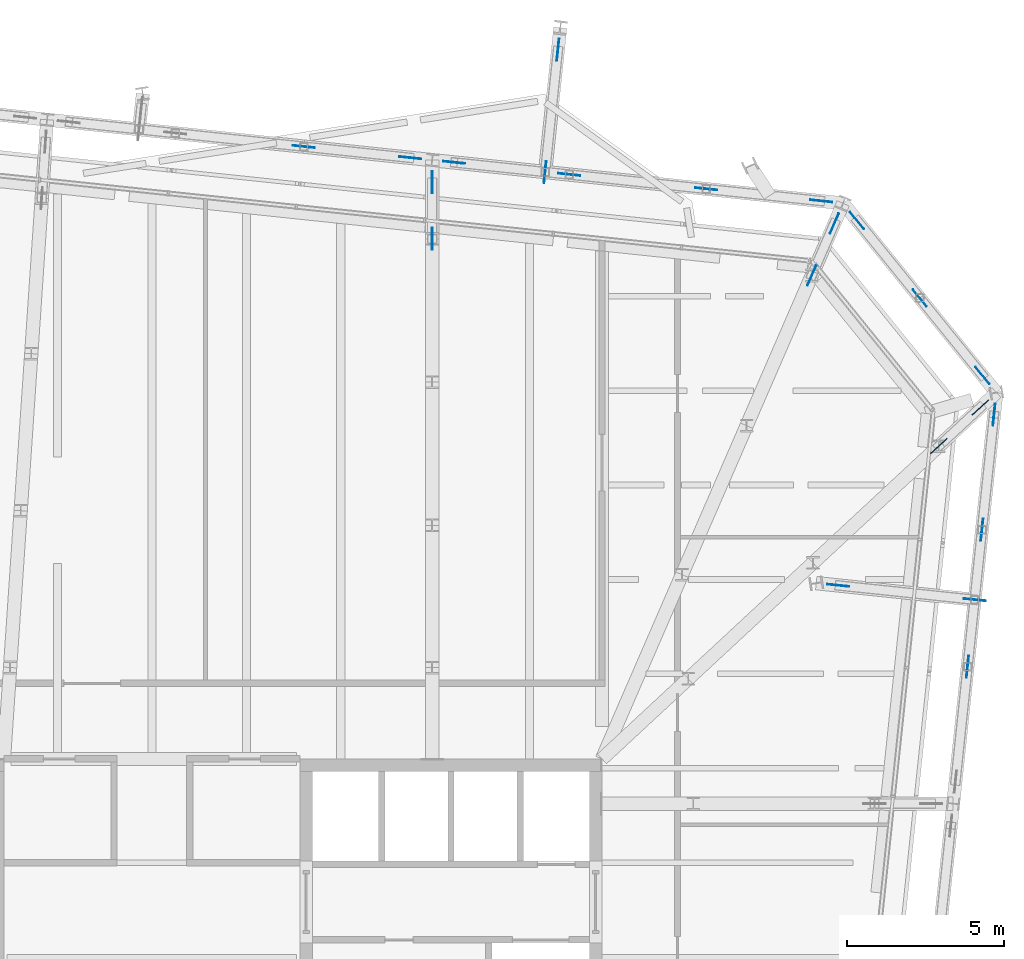
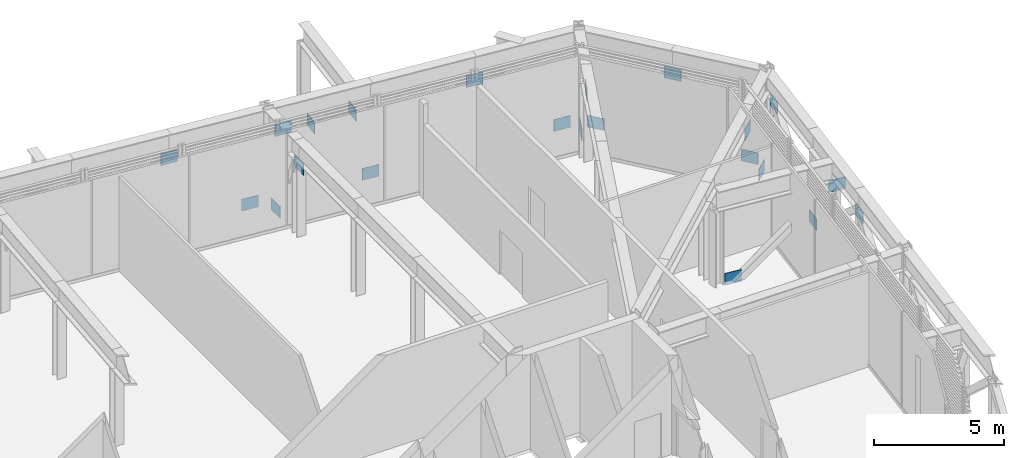
# One storey, part 33 of 36: 22 discrete accessories.
"""IFC4 building model written with IfcOpenShell, lengths in metres."""

import ifcopenshell
import ifcopenshell.guid

model = None  # the IFC model being written
_history = None  # IfcOwnerHistory: only IFC2X3 demands one
_inside = {}  # id of a spatial element -> (the spatial element, [elements in it])
_under = {}  # id of a project, library or spatial element -> (it, [spatial elements below it])
_declared = {}  # id of a project -> (the project, [libraries it declares])
_typed = {}  # id of a type object -> (the type object, [elements of that type])
_made_of = {}  # id of a material, layer set ... -> (it, [elements and type objects made of it])


def new_model(schema):
    """Start an empty IFC model of exactly this schema.

    Asked for "IFC4X3", IfcOpenShell would pick the latest addendum, in which some entities
    have other attributes; the version numbers below select the first issue.
    IFC2X3 requires an IfcOwnerHistory on every rooted entity: one is made here for all.
    """
    global model, _history
    if schema == "IFC4X3":
        model = ifcopenshell.file(schema_version=(4, 3, 0, 0))
    else:
        model = ifcopenshell.file(schema=schema)
    _inside.clear()
    _under.clear()
    _declared.clear()
    _typed.clear()
    _made_of.clear()
    _history = None
    if model.schema == "IFC2X3":
        org = make("IfcOrganization", Name="unknown")
        user = make(
            "IfcPersonAndOrganization",
            ThePerson=make("IfcPerson", FamilyName="unknown"),
            TheOrganization=org,
        )
        app = make(
            "IfcApplication",
            ApplicationDeveloper=org,
            Version="unknown",
            ApplicationFullName="unknown",
            ApplicationIdentifier="unknown",
        )
        _history = make(
            "IfcOwnerHistory",
            OwningUser=user,
            OwningApplication=app,
            ChangeAction="ADDED",
            CreationDate=0,
        )
    return model


def make(cls, **values):
    """One entity of the class cls with the attributes given. An attribute that is None is left unset."""
    return model.create_entity(
        cls, **{name: value for name, value in values.items() if value is not None}
    )


def rooted(cls, **values):
    """An entity with a GlobalId (a new one), such as an element, a storey or a relation."""
    return make(cls, GlobalId=ifcopenshell.guid.new(), OwnerHistory=_history, **values)


def si_unit(unit_type, name, prefix=None):
    """IfcSIUnit, for example si_unit("LENGTHUNIT", "METRE", prefix="MILLI")."""
    return make("IfcSIUnit", UnitType=unit_type, Prefix=prefix, Name=name)


def assignment(units):
    """IfcUnitAssignment: the units of a project."""
    return None if units is None else make("IfcUnitAssignment", Units=units)


def point(xyz):
    """IfcCartesianPoint."""
    return None if xyz is None else make("IfcCartesianPoint", Coordinates=xyz)


def direction(xyz):
    """IfcDirection."""
    return None if xyz is None else make("IfcDirection", DirectionRatios=xyz)


def frame(location, z_axis=None, x_axis=None):
    """IfcAxis2Placement3D, a coordinate frame: its origin and axes. An axis left out is left unset."""
    return make(
        "IfcAxis2Placement3D",
        Location=point(location),
        Axis=direction(z_axis),
        RefDirection=direction(x_axis),
    )


def frame_2d(location, x_axis=None):
    """IfcAxis2Placement2D, a coordinate frame in the plane: its origin and x axis."""
    return make(
        "IfcAxis2Placement2D", Location=point(location), RefDirection=direction(x_axis)
    )


def origin():
    """The frame at (0, 0, 0) with its axes left unset."""
    return frame((0.0, 0.0, 0.0))


def origin_2d():
    """The frame at (0, 0) in the plane with its x axis left unset."""
    return frame_2d((0.0, 0.0))


def place(relative_to, where):
    """IfcLocalPlacement: puts the frame where relative to a parent placement (None: the world)."""
    return make(
        "IfcLocalPlacement", PlacementRelTo=relative_to, RelativePlacement=where
    )


def context(
    kind, dimensions, precision=None, world=None, true_north=None, identifier=None
):
    """IfcGeometricRepresentationContext, for example the 3D "Model" context."""
    return make(
        "IfcGeometricRepresentationContext",
        ContextIdentifier=identifier,
        ContextType=kind,
        CoordinateSpaceDimension=dimensions,
        Precision=precision,
        WorldCoordinateSystem=world,
        TrueNorth=true_north,
    )


def subcontext(parent, identifier, kind, view, scale=None):
    """IfcGeometricRepresentationSubContext, for example "Body" below "Model"."""
    return make(
        "IfcGeometricRepresentationSubContext",
        ContextIdentifier=identifier,
        ContextType=kind,
        ParentContext=parent,
        TargetScale=scale,
        TargetView=view,
    )


def project(units=None, contexts=None):
    """IfcProject with its units and contexts."""
    return rooted(
        "IfcProject",
        Name="project",
        RepresentationContexts=contexts,
        UnitsInContext=assignment(units),
    )


def spatial(cls, under=None, at=None, **own):
    """A site, building, storey or space (cls), placed at a placement, below another one or the project."""
    s = rooted(cls, ObjectPlacement=at, **own)
    if under is not None:
        _under.setdefault(under.id(), (under, []))[1].append(s)
    return s


def profile(cls, at=None, kind="AREA", **sizes):
    """A parametric profile (cls). Its sizes go by their IFC names, for example OverallWidth=200.0."""
    return make(cls, ProfileType=kind, Position=at, **sizes)


def rectangle(**sizes):
    """IfcRectangleProfileDef."""
    return profile("IfcRectangleProfileDef", **sizes)


def extrude(swept, where, along, depth):
    """IfcExtrudedAreaSolid: the profile swept, set in the frame where, extruded along a direction by depth."""
    return make(
        "IfcExtrudedAreaSolid",
        SweptArea=swept,
        Position=where,
        ExtrudedDirection=direction(along),
        Depth=depth,
    )


def shape(context_of_items, identifier, shape_type, items):
    """IfcShapeRepresentation: the items that make up one representation, for example the "Body"."""
    return make(
        "IfcShapeRepresentation",
        ContextOfItems=context_of_items,
        RepresentationIdentifier=identifier,
        RepresentationType=shape_type,
        Items=items,
    )


def material(Name=None, Category=None):
    """IfcMaterial."""
    return make("IfcMaterial", Name=Name, Category=Category)


def layer(
    of_material, thickness, ventilated=None, Name=None, Category=None, Priority=None
):
    """IfcMaterialLayer: one layer of a wall or slab, of a material (None: an air gap)."""
    return make(
        "IfcMaterialLayer",
        Material=of_material,
        LayerThickness=thickness,
        IsVentilated=ventilated,
        Name=Name,
        Category=Category,
        Priority=Priority,
    )


def layer_set(layers, Name=None):
    """IfcMaterialLayerSet."""
    return make("IfcMaterialLayerSet", MaterialLayers=layers, LayerSetName=Name)


def made_of(thing, what):
    """Note that an element or type object is made of a material, layer set ...; save() writes the relation."""
    if what is not None:
        _made_of.setdefault(what.id(), (what, []))[1].append(thing)
    return thing


def type_object(cls, material=None, **own):
    """A type object (cls), such as IfcWallType, which elements share."""
    return made_of(rooted(cls, **own), material)


def element(
    cls,
    number,
    at=None,
    inside=None,
    cuts=None,
    type_object=None,
    material=None,
    context=None,
    identifier="Body",
    shape_type=None,
    held_by="IfcProductDefinitionShape",
    body=None,
    shapes=None,
    **own,
):
    """One element of the class cls, such as IfcWall. Its Tag is "e" and its number.

    at: its placement. inside: the storey or other place that contains it. cuts: it is an
    opening in that element (IfcRelVoidsElement). A single representation is given by context,
    identifier, shape_type and body (its items); several are given by shapes. held_by: the class
    of the entity that holds the representations. save() writes the other relations.
    """
    e = rooted(cls, Tag="e%d" % number, ObjectPlacement=at, **own)
    if body is not None:
        shapes = [shape(context, identifier, shape_type, body)]
    if shapes is not None:
        e.Representation = make(held_by, Representations=shapes)
    if inside is not None:
        _inside.setdefault(inside.id(), (inside, []))[1].append(e)
    if cuts is not None:
        rooted(
            "IfcRelVoidsElement", RelatingBuildingElement=cuts, RelatedOpeningElement=e
        )
    if type_object is not None:
        _typed.setdefault(type_object.id(), (type_object, []))[1].append(e)
    return made_of(e, material)


def aggregate(whole, parts):
    """IfcRelAggregates: a whole, such as a stair, and the parts it consists of."""
    return rooted("IfcRelAggregates", RelatingObject=whole, RelatedObjects=parts)


def save(model, path):
    """Write the relations noted so far, then the file.

    IfcRelAggregates (storeys below a building ...), IfcRelContainedInSpatialStructure (elements
    in a storey), IfcRelDefinesByType, IfcRelAssociatesMaterial and IfcRelDeclares: one each for
    every whole, place, type object, material and project.
    """
    for whole, parts in _under.values():
        aggregate(whole, parts)
    for where, things in _inside.values():
        rooted(
            "IfcRelContainedInSpatialStructure",
            RelatedElements=things,
            RelatingStructure=where,
        )
    for kind, things in _typed.values():
        rooted("IfcRelDefinesByType", RelatedObjects=things, RelatingType=kind)
    for what, things in _made_of.values():
        rooted("IfcRelAssociatesMaterial", RelatedObjects=things, RelatingMaterial=what)
    for by, libraries in _declared.values():
        rooted("IfcRelDeclares", RelatingContext=by, RelatedDefinitions=libraries)
    model.write(path)


model = new_model("IFC4")

# Units and contexts
model_context = context("Model", 3, precision=1e-05, world=origin(), true_north=direction((0.0, 1.0)))
body_context = subcontext(model_context, "Body", "Model", "MODEL_VIEW")
ifc_project = project(units=[si_unit("LENGTHUNIT", "METRE"), si_unit("AREAUNIT", "SQUARE_METRE"), si_unit("VOLUMEUNIT", "CUBIC_METRE"), si_unit("PLANEANGLEUNIT", "RADIAN"), si_unit("MASSUNIT", "GRAM", prefix="KILO")], contexts=[model_context])

# Site, building, storey
site_placement = place(None, origin())
site = spatial("IfcSite", under=ifc_project, at=site_placement, CompositionType="ELEMENT")
building_placement = place(site_placement, origin())
building = spatial("IfcBuilding", under=site, at=building_placement, Name="Millrace Tower", CompositionType="ELEMENT")
storey_placement = place(building_placement, frame((0.0, 0.0, 271.39990234375)))
storey = spatial("IfcBuildingStorey", under=building, at=storey_placement, Name="L62", CompositionType="ELEMENT", Elevation=271.39990234375)

# Discrete accessories
ifc_material = material(Name="Steel ASTM A572 Grade 50", Category="steel")
ifc_layer = layer(ifc_material, 0.02490234375)
ifc_layer_set = layer_set([ifc_layer], Name="Steel ASTM A572 Grade 50")
discrete_accessory_type = type_object("IfcDiscreteAccessoryType", Name="Truss gusset plate 700x550x25", PredefinedType="BRACKET", material=ifc_layer_set)
discrete_accessory_1_placement = place(storey_placement, frame((25.878173828125, 11.88330078125, 3.2177734375), z_axis=(0.104612176701, 0.99451309317, 0.0), x_axis=(-0.99451309317, 0.104612176701, 0.0)))
element("IfcDiscreteAccessory", 1, at=discrete_accessory_1_placement, inside=storey, type_object=discrete_accessory_type, Name="Truss gusset plate TRS-L62-R08-D01 head", PredefinedType="BRACKET", context=body_context, shape_type="SweptSolid", body=[
    extrude(rectangle(XDim=0.02490234375, YDim=0.550048828125, at=origin_2d()), origin(), (0.0, 0.0, 1.0), 0.7001953125),
])
for number, where, z_axis, x_axis, name in (
    (2, (26.33544921875, 16.235595703125, 0.114990234375), (0.104648468085, 0.994509275033, 0.0), (-0.994509275033, 0.104648468085, 0.0), "Truss gusset plate TRS-L62-R08-D02 foot"),
    (3, (26.7197265625, 19.8916015625, 3.2177734375), (0.104648468085, 0.994509275033, 0.0), (-0.994509275033, 0.104648468085, 0.0), "Truss gusset plate TRS-L62-R08-D03 head"),
    (4, (26.168701171875, 21.751708984375, 0.114990234375), (0.629489125943, -0.777009292299, 0.0), (0.777009292299, 0.629489125943, 0.0), "Truss gusset plate TRS-L62-R09-D01 foot"),
):
    element("IfcDiscreteAccessory", number, at=place(storey_placement, frame(where, z_axis=z_axis, x_axis=x_axis)), inside=storey, type_object=discrete_accessory_type, Name=name, PredefinedType="BRACKET", context=body_context, shape_type="SweptSolid", body=[
        extrude(rectangle(XDim=0.02490234375, YDim=0.550048828125, at=origin_2d()), origin(), (0.0, 0.0, 1.0), 0.699951171875),
    ])
discrete_accessory_2_placement = place(storey_placement, frame((24.174560546875, 24.214599609375, 3.2177734375), z_axis=(0.629107936934, -0.777317955336, 0.0), x_axis=(0.777317955336, 0.629107936934, 0.0)))
element("IfcDiscreteAccessory", 5, at=discrete_accessory_2_placement, inside=storey, type_object=discrete_accessory_type, Name="Truss gusset plate TRS-L62-R09-D01 head", PredefinedType="BRACKET", context=body_context, shape_type="SweptSolid", body=[
    extrude(rectangle(XDim=0.02490234375, YDim=0.550048828125, at=origin_2d()), origin(), (0.0, 0.0, 1.0), 0.7001953125),
])
for number, where, z_axis, x_axis, name in (
    (6, (22.18017578125, 26.67724609375, 0.114990234375), (0.629278502617, -0.777179880172, 0.0), (0.777179880172, 0.629278502617, 0.0), "Truss gusset plate TRS-L62-R09-D02 foot"),
    (7, (20.915771484375, 27.05908203125, 0.114990234375), (0.994509275033, -0.104648468085, 0.0), (0.104648468085, 0.994509275033, 0.0), "Truss gusset plate TRS-L62-R10-D01 foot"),
):
    element("IfcDiscreteAccessory", number, at=place(storey_placement, frame(where, z_axis=z_axis, x_axis=x_axis)), inside=storey, type_object=discrete_accessory_type, Name=name, PredefinedType="BRACKET", context=body_context, shape_type="SweptSolid", body=[
        extrude(rectangle(XDim=0.02490234375, YDim=0.550048828125, at=origin_2d()), origin(), (0.0, 0.0, 1.0), 0.699951171875),
    ])
discrete_accessory_3_placement = place(storey_placement, frame((17.259521484375, 27.443359375, 3.2177734375), z_axis=(0.99451309317, -0.104612176701, 0.0), x_axis=(0.104612176701, 0.99451309317, 0.0)))
element("IfcDiscreteAccessory", 8, at=discrete_accessory_3_placement, inside=storey, type_object=discrete_accessory_type, Name="Truss gusset plate TRS-L62-R10-D01 head", PredefinedType="BRACKET", context=body_context, shape_type="SweptSolid", body=[
    extrude(rectangle(XDim=0.02490234375, YDim=0.550048828125, at=origin_2d()), origin(), (0.0, 0.0, 1.0), 0.7001953125),
])
for number, where, z_axis, x_axis, name in (
    (9, (12.907470703125, 27.900634765625, 0.114990234375), (0.994545520413, -0.10430344111, 0.0), (0.10430344111, 0.994545520413, 0.0), "Truss gusset plate TRS-L62-R10-D02 foot"),
    (10, (9.25146484375, 28.284912109375, 3.2177734375), (0.994545520413, -0.10430344111, 0.0), (0.10430344111, 0.994545520413, 0.0), "Truss gusset plate TRS-L62-R10-D03 head"),
):
    element("IfcDiscreteAccessory", number, at=place(storey_placement, frame(where, z_axis=z_axis, x_axis=x_axis)), inside=storey, type_object=discrete_accessory_type, Name=name, PredefinedType="BRACKET", context=body_context, shape_type="SweptSolid", body=[
        extrude(rectangle(XDim=0.02490234375, YDim=0.550048828125, at=origin_2d()), origin(), (0.0, 0.0, 1.0), 0.699951171875),
    ])
discrete_accessory_4_placement = place(storey_placement, frame((7.859130859375, 28.431396484375, 0.114990234375), z_axis=(0.99451309317, -0.104612176701, 0.0), x_axis=(0.104612176701, 0.99451309317, 0.0)))
element("IfcDiscreteAccessory", 11, at=discrete_accessory_4_placement, inside=storey, type_object=discrete_accessory_type, Name="Truss gusset plate TRS-L62-R11-D01 foot", PredefinedType="BRACKET", context=body_context, shape_type="SweptSolid", body=[
    extrude(rectangle(XDim=0.02490234375, YDim=0.550048828125, at=origin_2d()), origin(), (0.0, 0.0, 1.0), 0.7001953125),
])
discrete_accessory_5_placement = place(storey_placement, frame((4.477783203125, 28.78662109375, 3.2177734375), z_axis=(0.994509275033, -0.104648468085, 0.0), x_axis=(0.104648468085, 0.994509275033, 0.0)))
element("IfcDiscreteAccessory", 12, at=discrete_accessory_5_placement, inside=storey, type_object=discrete_accessory_type, Name="Truss gusset plate TRS-L62-R11-D01 head", PredefinedType="BRACKET", context=body_context, shape_type="SweptSolid", body=[
    extrude(rectangle(XDim=0.02490234375, YDim=0.550048828125, at=origin_2d()), origin(), (0.0, 0.0, 1.0), 0.699951171875),
])
discrete_accessory_6_placement = place(storey_placement, frame((26.060302734375, 20.22119140625, 0.114990234375), z_axis=(0.732619512362, 0.680638413628, 0.0), x_axis=(-0.680638413628, 0.732619512362, 0.0)))
element("IfcDiscreteAccessory", 13, at=discrete_accessory_6_placement, inside=storey, type_object=discrete_accessory_type, Name="Truss gusset plate TRS-L62-C09-D01 foot", PredefinedType="BRACKET", context=body_context, shape_type="SweptSolid", body=[
    extrude(rectangle(XDim=0.02490234375, YDim=0.550048828125, at=origin_2d()), origin(), (0.0, 0.0, 1.0), 0.69970703125),
])
for number, where, z_axis, x_axis, name in (
    (14, (24.7412109375, 18.996337890625, 3.2177734375), (0.7327810693, 0.680464477013, 0.0), (-0.680464477013, 0.7327810693, 0.0), "Truss gusset plate TRS-L62-C09-D01 head"),
    (15, (21.5419921875, 25.986083984375, 0.114990234375), (0.397998962798, 0.917385865169, 0.0), (-0.917385865169, 0.397998962798, 0.0), "Truss gusset plate TRS-L62-C10-D01 foot"),
    (16, (20.8251953125, 24.3349609375, 3.2177734375), (0.398292464031, 0.91725847671, 0.0), (-0.91725847671, 0.398292464031, 0.0), "Truss gusset plate TRS-L62-C10-D01 head"),
):
    element("IfcDiscreteAccessory", number, at=place(storey_placement, frame(where, z_axis=z_axis, x_axis=x_axis)), inside=storey, type_object=discrete_accessory_type, Name=name, PredefinedType="BRACKET", context=body_context, shape_type="SweptSolid", body=[
        extrude(rectangle(XDim=0.02490234375, YDim=0.550048828125, at=origin_2d()), origin(), (0.0, 0.0, 1.0), 0.699951171875),
    ])
discrete_accessory_7_placement = place(storey_placement, frame((8.9033203125, 27.271484375, 0.114990234375), z_axis=(0.0, 1.0, 0.0), x_axis=(-1.0, 0.0, 0.0)))
element("IfcDiscreteAccessory", 17, at=discrete_accessory_7_placement, inside=storey, type_object=discrete_accessory_type, Name="Truss gusset plate TRS-L62-C11-D01 foot", PredefinedType="BRACKET", context=body_context, shape_type="SweptSolid", body=[
    extrude(rectangle(XDim=0.02490234375, YDim=0.550048828125, at=origin_2d()), origin(), (0.0, 0.0, 1.0), 0.7001953125),
])
for number, where, z_axis, x_axis, name in (
    (18, (8.9033203125, 25.4716796875, 3.2177734375), (0.0, 1.0, 0.0), (-1.0, 0.0, 0.0), "Truss gusset plate TRS-L62-C11-D01 head"),
    (19, (21.454833984375, 14.8466796875, 0.114990234375), (0.994509275033, -0.104648468085, 0.0), (0.104648468085, 0.994509275033, 0.0), "Truss gusset plate TRS-L62-B-D-X08-D01 foot"),
    (20, (25.789794921875, 14.39111328125, 3.2177734375), (0.994509275033, -0.104648468085, 0.0), (0.104648468085, 0.994509275033, 0.0), "Truss gusset plate TRS-L62-B-D-X08-D01 head"),
):
    element("IfcDiscreteAccessory", number, at=place(storey_placement, frame(where, z_axis=z_axis, x_axis=x_axis)), inside=storey, type_object=discrete_accessory_type, Name=name, PredefinedType="BRACKET", context=body_context, shape_type="SweptSolid", body=[
        extrude(rectangle(XDim=0.02490234375, YDim=0.550048828125, at=origin_2d()), origin(), (0.0, 0.0, 1.0), 0.699951171875),
    ])
for number, where, z_axis, x_axis, name in (
    (21, (12.864990234375, 31.484130859375, 0.114990234375), (0.104267266743, 0.994549313552, 0.0), (-0.994549313552, 0.104267266743, 0.0), "Truss gusset plate TRS-L62-B-D-X10-D01 foot"),
    (22, (12.456298828125, 27.59619140625, 3.2177734375), (0.104612176701, 0.99451309317, 0.0), (-0.99451309317, 0.104612176701, 0.0), "Truss gusset plate TRS-L62-B-D-X10-D01 head"),
):
    element("IfcDiscreteAccessory", number, at=place(storey_placement, frame(where, z_axis=z_axis, x_axis=x_axis)), inside=storey, type_object=discrete_accessory_type, Name=name, PredefinedType="BRACKET", context=body_context, shape_type="SweptSolid", body=[
        extrude(rectangle(XDim=0.02490234375, YDim=0.550048828125, at=origin_2d()), origin(), (0.0, 0.0, 1.0), 0.7001953125),
    ])

save(model, "model.ifc")
